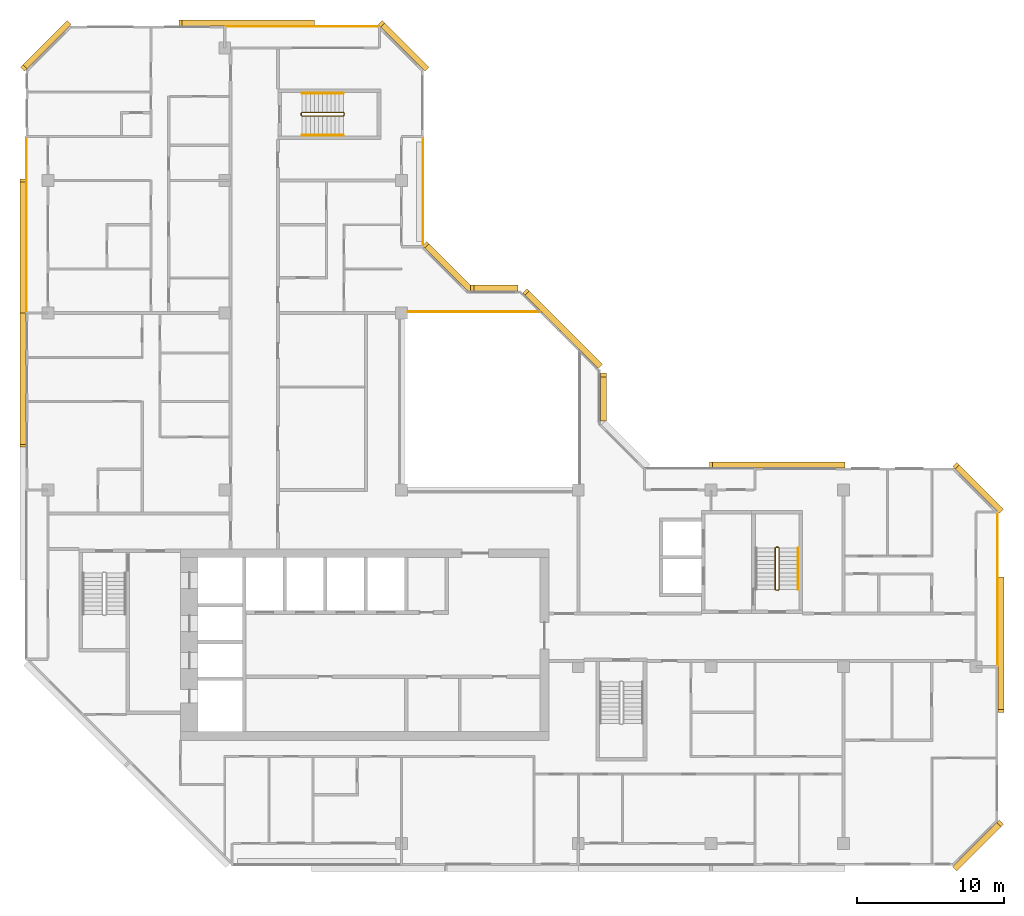
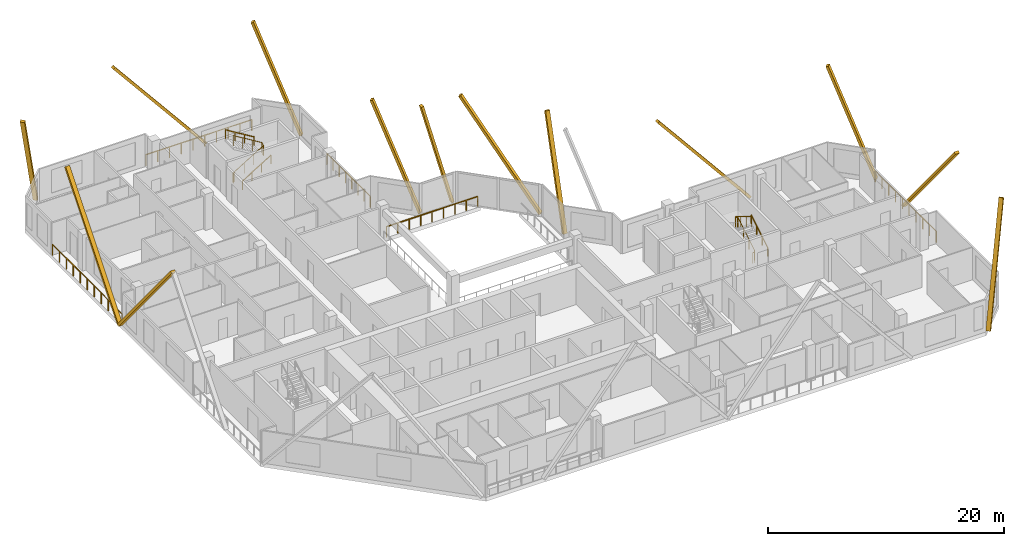
# One storey, part 13 of 13: 13 coverings, 10 railings.
"""IFC4 building model written with IfcOpenShell, lengths in metres."""

import ifcopenshell
import ifcopenshell.guid

model = None  # the IFC model being written
_history = None  # IfcOwnerHistory: only IFC2X3 demands one
_inside = {}  # id of a spatial element -> (the spatial element, [elements in it])
_under = {}  # id of a project, library or spatial element -> (it, [spatial elements below it])
_declared = {}  # id of a project -> (the project, [libraries it declares])
_typed = {}  # id of a type object -> (the type object, [elements of that type])
_made_of = {}  # id of a material, layer set ... -> (it, [elements and type objects made of it])


def new_model(schema):
    """Start an empty IFC model of exactly this schema.

    Asked for "IFC4X3", IfcOpenShell would pick the latest addendum, in which some entities
    have other attributes; the version numbers below select the first issue.
    IFC2X3 requires an IfcOwnerHistory on every rooted entity: one is made here for all.
    """
    global model, _history
    if schema == "IFC4X3":
        model = ifcopenshell.file(schema_version=(4, 3, 0, 0))
    else:
        model = ifcopenshell.file(schema=schema)
    _inside.clear()
    _under.clear()
    _declared.clear()
    _typed.clear()
    _made_of.clear()
    _history = None
    if model.schema == "IFC2X3":
        org = make("IfcOrganization", Name="unknown")
        user = make(
            "IfcPersonAndOrganization",
            ThePerson=make("IfcPerson", FamilyName="unknown"),
            TheOrganization=org,
        )
        app = make(
            "IfcApplication",
            ApplicationDeveloper=org,
            Version="unknown",
            ApplicationFullName="unknown",
            ApplicationIdentifier="unknown",
        )
        _history = make(
            "IfcOwnerHistory",
            OwningUser=user,
            OwningApplication=app,
            ChangeAction="ADDED",
            CreationDate=0,
        )
    return model


def make(cls, **values):
    """One entity of the class cls with the attributes given. An attribute that is None is left unset."""
    return model.create_entity(
        cls, **{name: value for name, value in values.items() if value is not None}
    )


def rooted(cls, **values):
    """An entity with a GlobalId (a new one), such as an element, a storey or a relation."""
    return make(cls, GlobalId=ifcopenshell.guid.new(), OwnerHistory=_history, **values)


def si_unit(unit_type, name, prefix=None):
    """IfcSIUnit, for example si_unit("LENGTHUNIT", "METRE", prefix="MILLI")."""
    return make("IfcSIUnit", UnitType=unit_type, Prefix=prefix, Name=name)


def assignment(units):
    """IfcUnitAssignment: the units of a project."""
    return None if units is None else make("IfcUnitAssignment", Units=units)


def point(xyz):
    """IfcCartesianPoint."""
    return None if xyz is None else make("IfcCartesianPoint", Coordinates=xyz)


def direction(xyz):
    """IfcDirection."""
    return None if xyz is None else make("IfcDirection", DirectionRatios=xyz)


def frame(location, z_axis=None, x_axis=None):
    """IfcAxis2Placement3D, a coordinate frame: its origin and axes. An axis left out is left unset."""
    return make(
        "IfcAxis2Placement3D",
        Location=point(location),
        Axis=direction(z_axis),
        RefDirection=direction(x_axis),
    )


def frame_2d(location, x_axis=None):
    """IfcAxis2Placement2D, a coordinate frame in the plane: its origin and x axis."""
    return make(
        "IfcAxis2Placement2D", Location=point(location), RefDirection=direction(x_axis)
    )


def origin():
    """The frame at (0, 0, 0) with its axes left unset."""
    return frame((0.0, 0.0, 0.0))


def origin_2d():
    """The frame at (0, 0) in the plane with its x axis left unset."""
    return frame_2d((0.0, 0.0))


def place(relative_to, where):
    """IfcLocalPlacement: puts the frame where relative to a parent placement (None: the world)."""
    return make(
        "IfcLocalPlacement", PlacementRelTo=relative_to, RelativePlacement=where
    )


def context(
    kind, dimensions, precision=None, world=None, true_north=None, identifier=None
):
    """IfcGeometricRepresentationContext, for example the 3D "Model" context."""
    return make(
        "IfcGeometricRepresentationContext",
        ContextIdentifier=identifier,
        ContextType=kind,
        CoordinateSpaceDimension=dimensions,
        Precision=precision,
        WorldCoordinateSystem=world,
        TrueNorth=true_north,
    )


def subcontext(parent, identifier, kind, view, scale=None):
    """IfcGeometricRepresentationSubContext, for example "Body" below "Model"."""
    return make(
        "IfcGeometricRepresentationSubContext",
        ContextIdentifier=identifier,
        ContextType=kind,
        ParentContext=parent,
        TargetScale=scale,
        TargetView=view,
    )


def project(units=None, contexts=None):
    """IfcProject with its units and contexts."""
    return rooted(
        "IfcProject",
        Name="project",
        RepresentationContexts=contexts,
        UnitsInContext=assignment(units),
    )


def spatial(cls, under=None, at=None, **own):
    """A site, building, storey or space (cls), placed at a placement, below another one or the project."""
    s = rooted(cls, ObjectPlacement=at, **own)
    if under is not None:
        _under.setdefault(under.id(), (under, []))[1].append(s)
    return s


def profile(cls, at=None, kind="AREA", **sizes):
    """A parametric profile (cls). Its sizes go by their IFC names, for example OverallWidth=200.0."""
    return make(cls, ProfileType=kind, Position=at, **sizes)


def rectangle(**sizes):
    """IfcRectangleProfileDef."""
    return profile("IfcRectangleProfileDef", **sizes)


def extrude(swept, where, along, depth):
    """IfcExtrudedAreaSolid: the profile swept, set in the frame where, extruded along a direction by depth."""
    return make(
        "IfcExtrudedAreaSolid",
        SweptArea=swept,
        Position=where,
        ExtrudedDirection=direction(along),
        Depth=depth,
    )


def shape(context_of_items, identifier, shape_type, items):
    """IfcShapeRepresentation: the items that make up one representation, for example the "Body"."""
    return make(
        "IfcShapeRepresentation",
        ContextOfItems=context_of_items,
        RepresentationIdentifier=identifier,
        RepresentationType=shape_type,
        Items=items,
    )


def material(Name=None, Category=None):
    """IfcMaterial."""
    return make("IfcMaterial", Name=Name, Category=Category)


def material_profile(
    of_material, cross_section, Name=None, Category=None, Priority=None
):
    """IfcMaterialProfile: a cross section and its material."""
    return make(
        "IfcMaterialProfile",
        Name=Name,
        Material=of_material,
        Profile=cross_section,
        Priority=Priority,
        Category=Category,
    )


def profile_set(profiles, Name=None, composite=None):
    """IfcMaterialProfileSet."""
    return make(
        "IfcMaterialProfileSet",
        Name=Name,
        MaterialProfiles=profiles,
        CompositeProfile=composite,
    )


def made_of(thing, what):
    """Note that an element or type object is made of a material, layer set ...; save() writes the relation."""
    if what is not None:
        _made_of.setdefault(what.id(), (what, []))[1].append(thing)
    return thing


def type_object(cls, material=None, **own):
    """A type object (cls), such as IfcWallType, which elements share."""
    return made_of(rooted(cls, **own), material)


def element(
    cls,
    number,
    at=None,
    inside=None,
    cuts=None,
    type_object=None,
    material=None,
    context=None,
    identifier="Body",
    shape_type=None,
    held_by="IfcProductDefinitionShape",
    body=None,
    shapes=None,
    **own,
):
    """One element of the class cls, such as IfcWall. Its Tag is "e" and its number.

    at: its placement. inside: the storey or other place that contains it. cuts: it is an
    opening in that element (IfcRelVoidsElement). A single representation is given by context,
    identifier, shape_type and body (its items); several are given by shapes. held_by: the class
    of the entity that holds the representations. save() writes the other relations.
    """
    e = rooted(cls, Tag="e%d" % number, ObjectPlacement=at, **own)
    if body is not None:
        shapes = [shape(context, identifier, shape_type, body)]
    if shapes is not None:
        e.Representation = make(held_by, Representations=shapes)
    if inside is not None:
        _inside.setdefault(inside.id(), (inside, []))[1].append(e)
    if cuts is not None:
        rooted(
            "IfcRelVoidsElement", RelatingBuildingElement=cuts, RelatedOpeningElement=e
        )
    if type_object is not None:
        _typed.setdefault(type_object.id(), (type_object, []))[1].append(e)
    return made_of(e, material)


def aggregate(whole, parts):
    """IfcRelAggregates: a whole, such as a stair, and the parts it consists of."""
    return rooted("IfcRelAggregates", RelatingObject=whole, RelatedObjects=parts)


def save(model, path):
    """Write the relations noted so far, then the file.

    IfcRelAggregates (storeys below a building ...), IfcRelContainedInSpatialStructure (elements
    in a storey), IfcRelDefinesByType, IfcRelAssociatesMaterial and IfcRelDeclares: one each for
    every whole, place, type object, material and project.
    """
    for whole, parts in _under.values():
        aggregate(whole, parts)
    for where, things in _inside.values():
        rooted(
            "IfcRelContainedInSpatialStructure",
            RelatedElements=things,
            RelatingStructure=where,
        )
    for kind, things in _typed.values():
        rooted("IfcRelDefinesByType", RelatedObjects=things, RelatingType=kind)
    for what, things in _made_of.values():
        rooted("IfcRelAssociatesMaterial", RelatedObjects=things, RelatingMaterial=what)
    for by, libraries in _declared.values():
        rooted("IfcRelDeclares", RelatingContext=by, RelatedDefinitions=libraries)
    model.write(path)


model = new_model("IFC4")

# Units and contexts
model_context = context("Model", 3, precision=1e-05, world=origin(), true_north=direction((0.0, 1.0)))
body_context = subcontext(model_context, "Body", "Model", "MODEL_VIEW")
ifc_project = project(units=[si_unit("LENGTHUNIT", "METRE"), si_unit("AREAUNIT", "SQUARE_METRE"), si_unit("VOLUMEUNIT", "CUBIC_METRE"), si_unit("PLANEANGLEUNIT", "RADIAN"), si_unit("MASSUNIT", "GRAM", prefix="KILO")], contexts=[model_context])

# Site, building, storey
site_placement = place(None, origin())
site = spatial("IfcSite", under=ifc_project, at=site_placement, CompositionType="ELEMENT")
building_placement = place(site_placement, origin())
building = spatial("IfcBuilding", under=site, at=building_placement, Name="Chenar Terraces", CompositionType="ELEMENT")
storey_placement = place(building_placement, frame((0.0, 0.0, 310.89990234375)))
storey = spatial("IfcBuildingStorey", under=building, at=storey_placement, Name="L73", CompositionType="ELEMENT", Elevation=310.89990234375)

# Railings
ifc_material_1 = material(Name="Powder-coated steel", Category="steel")
railing_type_1 = type_object("IfcRailingType", Name="Guard 1100 steel rail with glass infill", PredefinedType="GUARDRAIL", material=ifc_material_1)
railing_1_placement = place(storey_placement, frame((24.449951171875, 36.10009765625, 0.0)))
element("IfcRailing", 1, at=railing_1_placement, inside=storey, type_object=railing_type_1, Name="Guard L73-2", PredefinedType="GUARDRAIL", context=body_context, shape_type="SweptSolid", body=[
    extrude(rectangle(XDim=0.06005859375, YDim=0.06005859375, at=origin_2d()), frame((0.0, 0.0, 1.070068359375), z_axis=(1.0, 0.0, 0.0), x_axis=(0.0, 1.0, 0.0)), (0.0, 0.0, 1.0), 8.949951171875),
    extrude(rectangle(XDim=0.050048828125, YDim=0.050048828125, at=origin_2d()), origin(), (0.0, 0.0, 1.0), 1.0400390625),
    extrude(rectangle(XDim=0.050048828125, YDim=0.050048828125, at=origin_2d()), frame((1.11865234375, 0.0, 0.0)), (0.0, 0.0, 1.0), 1.0400390625),
    extrude(rectangle(XDim=0.050048828125, YDim=0.050048828125, at=origin_2d()), frame((2.237548828125, 0.0, 0.0)), (0.0, 0.0, 1.0), 1.0400390625),
    extrude(rectangle(XDim=0.050048828125, YDim=0.050048828125, at=origin_2d()), frame((3.356201171875, 0.0, 0.0)), (0.0, 0.0, 1.0), 1.0400390625),
    extrude(rectangle(XDim=0.050048828125, YDim=0.050048828125, at=origin_2d()), frame((4.47509765625, 0.0, 0.0)), (0.0, 0.0, 1.0), 1.0400390625),
    extrude(rectangle(XDim=0.050048828125, YDim=0.050048828125, at=origin_2d()), frame((5.59375, 0.0, 0.0)), (0.0, 0.0, 1.0), 1.0400390625),
    extrude(rectangle(XDim=0.050048828125, YDim=0.050048828125, at=origin_2d()), frame((6.71240234375, 0.0, 0.0)), (0.0, 0.0, 1.0), 1.0400390625),
    extrude(rectangle(XDim=0.050048828125, YDim=0.050048828125, at=origin_2d()), frame((7.831298828125, 0.0, 0.0)), (0.0, 0.0, 1.0), 1.0400390625),
    extrude(rectangle(XDim=0.050048828125, YDim=0.050048828125, at=origin_2d()), frame((8.949951171875, 0.0, 0.0)), (0.0, 0.0, 1.0), 1.0400390625),
])
ifc_material_2 = material(Name="Stainless steel and glass", Category="steel")
railing_type_2 = type_object("IfcRailingType", Name="Loggia guard 1150", PredefinedType="GUARDRAIL", material=ifc_material_2)
railing_2_placement = place(storey_placement, frame((25.449951171875, 40.574951171875, 0.0)))
element("IfcRailing", 2, at=railing_2_placement, inside=storey, type_object=railing_type_2, Name="Loggia guard", PredefinedType="GUARDRAIL", context=body_context, shape_type="SweptSolid", body=[
    extrude(rectangle(XDim=0.048095703125, YDim=0.048095703125, at=origin_2d()), frame((0.0, 0.0, 1.1259765625), z_axis=(0.0, 1.0, 0.0), x_axis=(-1.0, 0.0, 0.0)), (0.0, 0.0, 1.0), 7.35009765625),
    extrude(rectangle(XDim=0.0419921875, YDim=0.0419921875, at=origin_2d()), origin(), (0.0, 0.0, 1.0), 1.101806640625),
    extrude(rectangle(XDim=0.0419921875, YDim=0.0419921875, at=origin_2d()), frame((0.0, 1.050048828125, 0.0)), (0.0, 0.0, 1.0), 1.101806640625),
    extrude(rectangle(XDim=0.0419921875, YDim=0.0419921875, at=origin_2d()), frame((0.0, 2.10009765625, 0.0)), (0.0, 0.0, 1.0), 1.101806640625),
    extrude(rectangle(XDim=0.0419921875, YDim=0.0419921875, at=origin_2d()), frame((0.0, 3.150146484375, 0.0)), (0.0, 0.0, 1.0), 1.101806640625),
    extrude(rectangle(XDim=0.0419921875, YDim=0.0419921875, at=origin_2d()), frame((0.0, 4.199951171875, 0.0)), (0.0, 0.0, 1.0), 1.101806640625),
    extrude(rectangle(XDim=0.0419921875, YDim=0.0419921875, at=origin_2d()), frame((0.0, 5.25, 0.0)), (0.0, 0.0, 1.0), 1.101806640625),
    extrude(rectangle(XDim=0.0419921875, YDim=0.0419921875, at=origin_2d()), frame((0.0, 6.300048828125, 0.0)), (0.0, 0.0, 1.0), 1.101806640625),
    extrude(rectangle(XDim=0.0419921875, YDim=0.0419921875, at=origin_2d()), frame((0.0, 7.35009765625, 0.0)), (0.0, 0.0, 1.0), 1.101806640625),
])
railing_3_placement = place(storey_placement, frame((64.449951171875, 12.074951171875, 0.0)))
element("IfcRailing", 3, at=railing_3_placement, inside=storey, type_object=railing_type_2, Name="Loggia guard", PredefinedType="GUARDRAIL", context=body_context, shape_type="SweptSolid", body=[
    extrude(rectangle(XDim=0.048095703125, YDim=0.048095703125, at=origin_2d()), frame((0.0, 0.0, 1.1259765625), z_axis=(0.0, 1.0, 0.0), x_axis=(-1.0, 0.0, 0.0)), (0.0, 0.0, 1.0), 10.35009765625),
    extrude(rectangle(XDim=0.0419921875, YDim=0.0419921875, at=origin_2d()), origin(), (0.0, 0.0, 1.0), 1.101806640625),
    extrude(rectangle(XDim=0.0419921875, YDim=0.0419921875, at=origin_2d()), frame((0.0, 1.14990234375, 0.0)), (0.0, 0.0, 1.0), 1.101806640625),
    extrude(rectangle(XDim=0.0419921875, YDim=0.0419921875, at=origin_2d()), frame((0.0, 2.300048828125, 0.0)), (0.0, 0.0, 1.0), 1.101806640625),
    extrude(rectangle(XDim=0.0419921875, YDim=0.0419921875, at=origin_2d()), frame((0.0, 3.449951171875, 0.0)), (0.0, 0.0, 1.0), 1.101806640625),
    extrude(rectangle(XDim=0.0419921875, YDim=0.0419921875, at=origin_2d()), frame((0.0, 4.60009765625, 0.0)), (0.0, 0.0, 1.0), 1.101806640625),
    extrude(rectangle(XDim=0.0419921875, YDim=0.0419921875, at=origin_2d()), frame((0.0, 5.75, 0.0)), (0.0, 0.0, 1.0), 1.101806640625),
    extrude(rectangle(XDim=0.0419921875, YDim=0.0419921875, at=origin_2d()), frame((0.0, 6.900146484375, 0.0)), (0.0, 0.0, 1.0), 1.101806640625),
    extrude(rectangle(XDim=0.0419921875, YDim=0.0419921875, at=origin_2d()), frame((0.0, 8.050048828125, 0.0)), (0.0, 0.0, 1.0), 1.101806640625),
    extrude(rectangle(XDim=0.0419921875, YDim=0.0419921875, at=origin_2d()), frame((0.0, 9.2001953125, 0.0)), (0.0, 0.0, 1.0), 1.101806640625),
    extrude(rectangle(XDim=0.0419921875, YDim=0.0419921875, at=origin_2d()), frame((0.0, 10.35009765625, 0.0)), (0.0, 0.0, 1.0), 1.101806640625),
])
railing_4_placement = place(storey_placement, frame((22.425048828125, 55.449951171875, 0.0)))
element("IfcRailing", 4, at=railing_4_placement, inside=storey, type_object=railing_type_2, Name="Loggia guard", PredefinedType="GUARDRAIL", context=body_context, shape_type="SweptSolid", body=[
    extrude(rectangle(XDim=0.048095703125, YDim=0.048095703125, at=origin_2d()), frame((0.0, 0.0, 1.1259765625), z_axis=(-1.0, 0.0, 0.0), x_axis=(0.0, -1.0, 0.0)), (0.0, 0.0, 1.0), 10.35009765625),
    extrude(rectangle(XDim=0.0419921875, YDim=0.0419921875, at=origin_2d()), origin(), (0.0, 0.0, 1.0), 1.101806640625),
    extrude(rectangle(XDim=0.0419921875, YDim=0.0419921875, at=origin_2d()), frame((-1.14990234375, 0.0, 0.0)), (0.0, 0.0, 1.0), 1.101806640625),
    extrude(rectangle(XDim=0.0419921875, YDim=0.0419921875, at=origin_2d()), frame((-2.300048828125, 0.0, 0.0)), (0.0, 0.0, 1.0), 1.101806640625),
    extrude(rectangle(XDim=0.0419921875, YDim=0.0419921875, at=origin_2d()), frame((-3.449951171875, 0.0, 0.0)), (0.0, 0.0, 1.0), 1.101806640625),
    extrude(rectangle(XDim=0.0419921875, YDim=0.0419921875, at=origin_2d()), frame((-4.60009765625, 0.0, 0.0)), (0.0, 0.0, 1.0), 1.101806640625),
    extrude(rectangle(XDim=0.0419921875, YDim=0.0419921875, at=origin_2d()), frame((-5.75, 0.0, 0.0)), (0.0, 0.0, 1.0), 1.101806640625),
    extrude(rectangle(XDim=0.0419921875, YDim=0.0419921875, at=origin_2d()), frame((-6.900146484375, 0.0, 0.0)), (0.0, 0.0, 1.0), 1.101806640625),
    extrude(rectangle(XDim=0.0419921875, YDim=0.0419921875, at=origin_2d()), frame((-8.050048828125, 0.0, 0.0)), (0.0, 0.0, 1.0), 1.101806640625),
    extrude(rectangle(XDim=0.0419921875, YDim=0.0419921875, at=origin_2d()), frame((-9.2001953125, 0.0, 0.0)), (0.0, 0.0, 1.0), 1.101806640625),
    extrude(rectangle(XDim=0.0419921875, YDim=0.0419921875, at=origin_2d()), frame((-10.35009765625, 0.0, 0.0)), (0.0, 0.0, 1.0), 1.101806640625),
])
railing_5_placement = place(storey_placement, frame((-1.449951171875, 47.925048828125, 0.0)))
element("IfcRailing", 5, at=railing_5_placement, inside=storey, type_object=railing_type_2, Name="Loggia guard", PredefinedType="GUARDRAIL", context=body_context, shape_type="SweptSolid", body=[
    extrude(rectangle(XDim=0.048095703125, YDim=0.048095703125, at=origin_2d()), frame((0.0, 0.0, 1.1259765625), z_axis=(0.0, -1.0, 0.0), x_axis=(1.0, 0.0, 0.0)), (0.0, 0.0, 1.0), 11.85009765625),
    extrude(rectangle(XDim=0.0419921875, YDim=0.0419921875, at=origin_2d()), origin(), (0.0, 0.0, 1.0), 1.101806640625),
    extrude(rectangle(XDim=0.0419921875, YDim=0.0419921875, at=origin_2d()), frame((0.0, -1.18505859375, 0.0)), (0.0, 0.0, 1.0), 1.101806640625),
    extrude(rectangle(XDim=0.0419921875, YDim=0.0419921875, at=origin_2d()), frame((0.0, -2.3701171875, 0.0)), (0.0, 0.0, 1.0), 1.101806640625),
    extrude(rectangle(XDim=0.0419921875, YDim=0.0419921875, at=origin_2d()), frame((0.0, -3.554931640625, 0.0)), (0.0, 0.0, 1.0), 1.101806640625),
    extrude(rectangle(XDim=0.0419921875, YDim=0.0419921875, at=origin_2d()), frame((0.0, -4.739990234375, 0.0)), (0.0, 0.0, 1.0), 1.101806640625),
    extrude(rectangle(XDim=0.0419921875, YDim=0.0419921875, at=origin_2d()), frame((0.0, -5.925048828125, 0.0)), (0.0, 0.0, 1.0), 1.101806640625),
    extrude(rectangle(XDim=0.0419921875, YDim=0.0419921875, at=origin_2d()), frame((0.0, -7.110107421875, 0.0)), (0.0, 0.0, 1.0), 1.101806640625),
    extrude(rectangle(XDim=0.0419921875, YDim=0.0419921875, at=origin_2d()), frame((0.0, -8.295166015625, 0.0)), (0.0, 0.0, 1.0), 1.101806640625),
    extrude(rectangle(XDim=0.0419921875, YDim=0.0419921875, at=origin_2d()), frame((0.0, -9.47998046875, 0.0)), (0.0, 0.0, 1.0), 1.101806640625),
    extrude(rectangle(XDim=0.0419921875, YDim=0.0419921875, at=origin_2d()), frame((0.0, -10.6650390625, 0.0)), (0.0, 0.0, 1.0), 1.101806640625),
    extrude(rectangle(XDim=0.0419921875, YDim=0.0419921875, at=origin_2d()), frame((0.0, -11.85009765625, 0.0)), (0.0, 0.0, 1.0), 1.101806640625),
])
ifc_material_3 = material(Name="Powder-coated steel", Category="steel")
railing_type_3 = type_object("IfcRailingType", Name="Stair guard 1100", PredefinedType="GUARDRAIL", material=ifc_material_3)
railing_6_placement = place(storey_placement, frame((49.375, 17.25, 3.75)))
element("IfcRailing", 6, at=railing_6_placement, inside=storey, type_object=railing_type_3, Name="L73 ST3 stair guard 1", PredefinedType="GUARDRAIL", context=body_context, shape_type="SweptSolid", body=[
    extrude(rectangle(XDim=0.048095703125, YDim=0.048095703125, at=origin_2d()), frame((0.0, 0.0, 1.076171875), z_axis=(0.0, 0.854202870247, -0.519939858505), x_axis=(-1.0, 0.0, 0.0)), (0.0, 0.0, 1.0), 3.278076171875),
    extrude(rectangle(XDim=0.048095703125, YDim=0.048095703125, at=origin_2d()), frame((0.0, 2.800048828125, -0.62841796875), z_axis=(0.270899902878, 0.270899902878, -0.923702595667), x_axis=(-0.707106781187, 0.707106781187, 0.0)), (0.0, 0.0, 1.0), 0.184814453125),
    extrude(rectangle(XDim=0.048095703125, YDim=0.048095703125, at=origin_2d()), frame((0.050048828125, 2.85009765625, -0.798828125), z_axis=(1.0, 0.0, 0.0), x_axis=(0.0, 1.0, 0.0)), (0.0, 0.0, 1.0), 0.14990234375),
    extrude(rectangle(XDim=0.048095703125, YDim=0.048095703125, at=origin_2d()), frame((0.199951171875, 2.85009765625, -0.798828125), z_axis=(0.707106781187, -0.707106781187, 0.0), x_axis=(0.707106781187, 0.707106781187, 0.0)), (0.0, 0.0, 1.0), 0.07080078125),
    extrude(rectangle(XDim=0.048095703125, YDim=0.048095703125, at=origin_2d()), frame((0.25, 2.800048828125, -0.798828125), z_axis=(0.0, -0.854202870247, -0.519939858505), x_axis=(1.0, 0.0, 0.0)), (0.0, 0.0, 1.0), 3.278076171875),
    extrude(rectangle(XDim=0.048095703125, YDim=0.048095703125, at=origin_2d()), frame((0.25, 0.0, -2.50341796875), z_axis=(-0.270899902878, -0.270899902878, -0.923702595667), x_axis=(0.707106781187, -0.707106781187, 0.0)), (0.0, 0.0, 1.0), 0.184814453125),
    extrude(rectangle(XDim=0.048095703125, YDim=0.048095703125, at=origin_2d()), frame((0.199951171875, -0.050048828125, -2.673828125), z_axis=(-1.0, 0.0, 0.0), x_axis=(0.0, -1.0, 0.0)), (0.0, 0.0, 1.0), 0.14990234375),
    extrude(rectangle(XDim=0.0419921875, YDim=0.0419921875, at=origin_2d()), origin(), (0.0, 0.0, 1.0), 1.052001953125),
    extrude(rectangle(XDim=0.0419921875, YDim=0.0419921875, at=origin_2d()), frame((0.0, 0.933349609375, -0.568115234375)), (0.0, 0.0, 1.0), 1.052001953125),
    extrude(rectangle(XDim=0.0419921875, YDim=0.0419921875, at=origin_2d()), frame((0.0, 1.86669921875, -1.13623046875)), (0.0, 0.0, 1.0), 1.052001953125),
    extrude(rectangle(XDim=0.0419921875, YDim=0.0419921875, at=origin_2d()), frame((0.0, 2.800048828125, -1.704345703125)), (0.0, 0.0, 1.0), 1.052001953125),
    extrude(rectangle(XDim=0.0419921875, YDim=0.0419921875, at=origin_2d()), frame((0.050048828125, 2.85009765625, -1.875)), (0.0, 0.0, 1.0), 1.052001953125),
    extrude(rectangle(XDim=0.0419921875, YDim=0.0419921875, at=origin_2d()), frame((0.199951171875, 2.85009765625, -1.875)), (0.0, 0.0, 1.0), 1.052001953125),
    extrude(rectangle(XDim=0.0419921875, YDim=0.0419921875, at=origin_2d()), frame((0.25, 2.800048828125, -1.875)), (0.0, 0.0, 1.0), 1.052001953125),
    extrude(rectangle(XDim=0.0419921875, YDim=0.0419921875, at=origin_2d()), frame((0.25, 1.86669921875, -2.443115234375)), (0.0, 0.0, 1.0), 1.052001953125),
    extrude(rectangle(XDim=0.0419921875, YDim=0.0419921875, at=origin_2d()), frame((0.25, 0.933349609375, -3.01123046875)), (0.0, 0.0, 1.0), 1.052001953125),
    extrude(rectangle(XDim=0.0419921875, YDim=0.0419921875, at=origin_2d()), frame((0.25, 0.0, -3.579345703125)), (0.0, 0.0, 1.0), 1.052001953125),
    extrude(rectangle(XDim=0.0419921875, YDim=0.0419921875, at=origin_2d()), frame((0.199951171875, -0.050048828125, -3.75)), (0.0, 0.0, 1.0), 1.052001953125),
    extrude(rectangle(XDim=0.0419921875, YDim=0.0419921875, at=origin_2d()), frame((0.050048828125, -0.050048828125, -3.75)), (0.0, 0.0, 1.0), 1.052001953125),
])
railing_7_placement = place(storey_placement, frame((17.25, 49.625, 3.75)))
element("IfcRailing", 7, at=railing_7_placement, inside=storey, type_object=railing_type_3, Name="L73 ST4 stair guard 1", PredefinedType="GUARDRAIL", context=body_context, shape_type="SweptSolid", body=[
    extrude(rectangle(XDim=0.048095703125, YDim=0.048095703125, at=origin_2d()), frame((0.0, 0.0, 1.076171875), z_axis=(0.854202870247, 0.0, -0.519939858505), x_axis=(0.0, 1.0, 0.0)), (0.0, 0.0, 1.0), 3.278076171875),
    extrude(rectangle(XDim=0.048095703125, YDim=0.048095703125, at=origin_2d()), frame((2.800048828125, 0.0, -0.62841796875), z_axis=(0.270899902878, -0.270899902878, -0.923702595667), x_axis=(0.707106781187, 0.707106781187, 0.0)), (0.0, 0.0, 1.0), 0.184814453125),
    extrude(rectangle(XDim=0.048095703125, YDim=0.048095703125, at=origin_2d()), frame((2.85009765625, -0.050048828125, -0.798828125), z_axis=(0.0, -1.0, 0.0), x_axis=(1.0, 0.0, 0.0)), (0.0, 0.0, 1.0), 0.14990234375),
    extrude(rectangle(XDim=0.048095703125, YDim=0.048095703125, at=origin_2d()), frame((2.85009765625, -0.199951171875, -0.798828125), z_axis=(-0.707106781187, -0.707106781187, 0.0), x_axis=(0.707106781187, -0.707106781187, 0.0)), (0.0, 0.0, 1.0), 0.07080078125),
    extrude(rectangle(XDim=0.048095703125, YDim=0.048095703125, at=origin_2d()), frame((2.800048828125, -0.25, -0.798828125), z_axis=(-0.854202870247, 0.0, -0.519939858505), x_axis=(0.0, -1.0, 0.0)), (0.0, 0.0, 1.0), 3.278076171875),
    extrude(rectangle(XDim=0.048095703125, YDim=0.048095703125, at=origin_2d()), frame((0.0, -0.25, -2.50341796875), z_axis=(-0.270899902878, 0.270899902878, -0.923702595667), x_axis=(-0.707106781187, -0.707106781187, 0.0)), (0.0, 0.0, 1.0), 0.184814453125),
    extrude(rectangle(XDim=0.048095703125, YDim=0.048095703125, at=origin_2d()), frame((-0.050048828125, -0.199951171875, -2.673828125), z_axis=(0.0, 1.0, 0.0), x_axis=(-1.0, 0.0, 0.0)), (0.0, 0.0, 1.0), 0.14990234375),
    extrude(rectangle(XDim=0.0419921875, YDim=0.0419921875, at=origin_2d()), origin(), (0.0, 0.0, 1.0), 1.052001953125),
    extrude(rectangle(XDim=0.0419921875, YDim=0.0419921875, at=origin_2d()), frame((0.933349609375, 0.0, -0.568115234375)), (0.0, 0.0, 1.0), 1.052001953125),
    extrude(rectangle(XDim=0.0419921875, YDim=0.0419921875, at=origin_2d()), frame((1.86669921875, 0.0, -1.13623046875)), (0.0, 0.0, 1.0), 1.052001953125),
    extrude(rectangle(XDim=0.0419921875, YDim=0.0419921875, at=origin_2d()), frame((2.800048828125, 0.0, -1.704345703125)), (0.0, 0.0, 1.0), 1.052001953125),
    extrude(rectangle(XDim=0.0419921875, YDim=0.0419921875, at=origin_2d()), frame((2.85009765625, -0.050048828125, -1.875)), (0.0, 0.0, 1.0), 1.052001953125),
    extrude(rectangle(XDim=0.0419921875, YDim=0.0419921875, at=origin_2d()), frame((2.85009765625, -0.199951171875, -1.875)), (0.0, 0.0, 1.0), 1.052001953125),
    extrude(rectangle(XDim=0.0419921875, YDim=0.0419921875, at=origin_2d()), frame((2.800048828125, -0.25, -1.875)), (0.0, 0.0, 1.0), 1.052001953125),
    extrude(rectangle(XDim=0.0419921875, YDim=0.0419921875, at=origin_2d()), frame((1.86669921875, -0.25, -2.443115234375)), (0.0, 0.0, 1.0), 1.052001953125),
    extrude(rectangle(XDim=0.0419921875, YDim=0.0419921875, at=origin_2d()), frame((0.933349609375, -0.25, -3.01123046875)), (0.0, 0.0, 1.0), 1.052001953125),
    extrude(rectangle(XDim=0.0419921875, YDim=0.0419921875, at=origin_2d()), frame((0.0, -0.25, -3.579345703125)), (0.0, 0.0, 1.0), 1.052001953125),
    extrude(rectangle(XDim=0.0419921875, YDim=0.0419921875, at=origin_2d()), frame((-0.050048828125, -0.199951171875, -3.75)), (0.0, 0.0, 1.0), 1.052001953125),
    extrude(rectangle(XDim=0.0419921875, YDim=0.0419921875, at=origin_2d()), frame((-0.050048828125, -0.050048828125, -3.75)), (0.0, 0.0, 1.0), 1.052001953125),
])
ifc_material_4 = material(Name="Powder-coated steel", Category="steel")
railing_type_4 = type_object("IfcRailingType", Name="Stair handrail 900", PredefinedType="HANDRAIL", material=ifc_material_4)
railing_8_placement = place(storey_placement, frame((50.925048828125, 17.25, 0.170654296875)))
element("IfcRailing", 8, at=railing_8_placement, inside=storey, type_object=railing_type_4, Name="L73 ST3 stair handrail 1", PredefinedType="HANDRAIL", context=body_context, shape_type="SweptSolid", body=[
    extrude(rectangle(XDim=0.048095703125, YDim=0.048095703125, at=origin_2d()), frame((0.0, 0.0, 0.8759765625), z_axis=(0.0, 0.854202870247, 0.519939858505), x_axis=(-1.0, 0.0, 0.0)), (0.0, 0.0, 1.0), 3.278076171875),
    extrude(rectangle(XDim=0.0419921875, YDim=0.0419921875, at=origin_2d()), origin(), (0.0, 0.0, 1.0), 0.851806640625),
    extrude(rectangle(XDim=0.0419921875, YDim=0.0419921875, at=origin_2d()), frame((0.0, 0.933349609375, 0.568115234375)), (0.0, 0.0, 1.0), 0.851806640625),
    extrude(rectangle(XDim=0.0419921875, YDim=0.0419921875, at=origin_2d()), frame((0.0, 1.86669921875, 1.13623046875)), (0.0, 0.0, 1.0), 0.851806640625),
    extrude(rectangle(XDim=0.0419921875, YDim=0.0419921875, at=origin_2d()), frame((0.0, 2.800048828125, 1.704345703125)), (0.0, 0.0, 1.0), 0.851806640625),
])
railing_9_placement = place(storey_placement, frame((17.25, 48.074951171875, 0.170654296875)))
element("IfcRailing", 9, at=railing_9_placement, inside=storey, type_object=railing_type_4, Name="L73 ST4 stair handrail 1", PredefinedType="HANDRAIL", context=body_context, shape_type="SweptSolid", body=[
    extrude(rectangle(XDim=0.048095703125, YDim=0.048095703125, at=origin_2d()), frame((0.0, 0.0, 0.8759765625), z_axis=(0.854202870247, 0.0, 0.519939858505), x_axis=(0.0, 1.0, 0.0)), (0.0, 0.0, 1.0), 3.278076171875),
    extrude(rectangle(XDim=0.0419921875, YDim=0.0419921875, at=origin_2d()), origin(), (0.0, 0.0, 1.0), 0.851806640625),
    extrude(rectangle(XDim=0.0419921875, YDim=0.0419921875, at=origin_2d()), frame((0.933349609375, 0.0, 0.568115234375)), (0.0, 0.0, 1.0), 0.851806640625),
    extrude(rectangle(XDim=0.0419921875, YDim=0.0419921875, at=origin_2d()), frame((1.86669921875, 0.0, 1.13623046875)), (0.0, 0.0, 1.0), 0.851806640625),
    extrude(rectangle(XDim=0.0419921875, YDim=0.0419921875, at=origin_2d()), frame((2.800048828125, 0.0, 1.704345703125)), (0.0, 0.0, 1.0), 0.851806640625),
])
railing_10_placement = place(storey_placement, frame((20.050048828125, 50.925048828125, 2.045654296875)))
element("IfcRailing", 10, at=railing_10_placement, inside=storey, type_object=railing_type_4, Name="L73 ST4 stair handrail 2", PredefinedType="HANDRAIL", context=body_context, shape_type="SweptSolid", body=[
    extrude(rectangle(XDim=0.048095703125, YDim=0.048095703125, at=origin_2d()), frame((0.0, 0.0, 0.8759765625), z_axis=(-0.854202870247, 0.0, 0.519939858505), x_axis=(0.0, -1.0, 0.0)), (0.0, 0.0, 1.0), 3.278076171875),
    extrude(rectangle(XDim=0.0419921875, YDim=0.0419921875, at=origin_2d()), origin(), (0.0, 0.0, 1.0), 0.851806640625),
    extrude(rectangle(XDim=0.0419921875, YDim=0.0419921875, at=origin_2d()), frame((-0.933349609375, 0.0, 0.568115234375)), (0.0, 0.0, 1.0), 0.851806640625),
    extrude(rectangle(XDim=0.0419921875, YDim=0.0419921875, at=origin_2d()), frame((-1.86669921875, 0.0, 1.13623046875)), (0.0, 0.0, 1.0), 0.851806640625),
    extrude(rectangle(XDim=0.0419921875, YDim=0.0419921875, at=origin_2d()), frame((-2.800048828125, 0.0, 1.704345703125)), (0.0, 0.0, 1.0), 0.851806640625),
])

# Coverings
ifc_material_5 = material(Name="Terracotta", Category="masonry")
ifc_material_profile = material_profile(ifc_material_5, rectangle(XDim=0.39990234375, YDim=0.25, at=origin_2d()), Name="Terracotta baguette 400 x 250")
ifc_profile_set = profile_set([ifc_material_profile], Name="Terracotta")
covering_type = type_object("IfcCoveringType", Name="Terracotta baguette 400 x 250", PredefinedType="CLADDING", material=ifc_profile_set)
covering_1_placement = place(storey_placement, frame((54.0, 25.699951171875, 0.150146484375), z_axis=(-0.634966765532, 0.0, 0.772539453148), x_axis=(0.0, -1.0, 0.0)))
element("IfcCovering", 11, at=covering_1_placement, inside=storey, type_object=covering_type, Name="Terracotta baguette", PredefinedType="CLADDING", context=body_context, shape_type="SweptSolid", body=[
    extrude(rectangle(XDim=0.39990234375, YDim=0.25, at=origin_2d()), origin(), (0.0, 0.0, 1.0), 14.174072265625),
])
covering_2_placement = place(storey_placement, frame((37.699951171875, 28.800048828125, 0.150146484375), z_axis=(0.0, 0.26423624309, 0.964457986559), x_axis=(-1.0, 0.0, 0.0)))
element("IfcCovering", 12, at=covering_2_placement, inside=storey, type_object=covering_type, Name="Terracotta baguette", PredefinedType="CLADDING", context=body_context, shape_type="SweptSolid", body=[
    extrude(rectangle(XDim=0.39990234375, YDim=0.25, at=origin_2d()), origin(), (0.0, 0.0, 1.0), 11.353515625),
])
covering_3_placement = place(storey_placement, frame((37.42919921875, 32.45361328125, 0.150146484375), z_axis=(-0.382266316395, 0.38228507333, 0.841267250081), x_axis=(-0.707124128605, -0.707089433343, 0.0)))
element("IfcCovering", 13, at=covering_3_placement, inside=storey, type_object=covering_type, Name="Terracotta baguette", PredefinedType="CLADDING", context=body_context, shape_type="SweptSolid", body=[
    extrude(rectangle(XDim=0.39990234375, YDim=0.25, at=origin_2d()), origin(), (0.0, 0.0, 1.0), 13.01611328125),
])
covering_4_placement = place(storey_placement, frame((31.800048828125, 37.699951171875, 0.150146484375), z_axis=(-0.26423624309, 0.0, 0.964457986559), x_axis=(0.0, -1.0, 0.0)))
element("IfcCovering", 14, at=covering_4_placement, inside=storey, type_object=covering_type, Name="Terracotta baguette", PredefinedType="CLADDING", context=body_context, shape_type="SweptSolid", body=[
    extrude(rectangle(XDim=0.39990234375, YDim=0.25, at=origin_2d()), origin(), (0.0, 0.0, 1.0), 11.353515625),
])
for number, where, z_axis, x_axis, name in (
    (15, (28.641357421875, 37.641357421875, 0.150146484375), (-0.255468212233, 0.255468212233, 0.932454816641), (-0.707106781187, -0.707106781187, 0.0), "Terracotta baguette"),
    (16, (25.641357421875, 52.641357421875, 0.150146484375), (-0.255468212233, 0.255468212233, 0.932454816641), (-0.707106781187, -0.707106781187, 0.0), "Terracotta baguette"),
):
    element("IfcCovering", number, at=place(storey_placement, frame(where, z_axis=z_axis, x_axis=x_axis)), inside=storey, type_object=covering_type, Name=name, PredefinedType="CLADDING", context=body_context, shape_type="SweptSolid", body=[
        extrude(rectangle(XDim=0.39990234375, YDim=0.25, at=origin_2d()), origin(), (0.0, 0.0, 1.0), 11.7431640625),
    ])
covering_5_placement = place(storey_placement, frame((18.0, 55.699951171875, 0.150146484375), z_axis=(-0.634966765532, 0.0, 0.772539453148), x_axis=(0.0, -1.0, 0.0)))
element("IfcCovering", 17, at=covering_5_placement, inside=storey, type_object=covering_type, Name="Terracotta baguette", PredefinedType="CLADDING", context=body_context, shape_type="SweptSolid", body=[
    extrude(rectangle(XDim=0.39990234375, YDim=0.25, at=origin_2d()), origin(), (0.0, 0.0, 1.0), 14.174072265625),
])
covering_6_placement = place(storey_placement, frame((1.358642578125, 55.641357421875, 0.150146484375), z_axis=(-0.255468212233, -0.255468212233, 0.932454816641), x_axis=(0.707106781187, -0.707106781187, 0.0)))
element("IfcCovering", 18, at=covering_6_placement, inside=storey, type_object=covering_type, Name="Terracotta baguette", PredefinedType="CLADDING", context=body_context, shape_type="SweptSolid", body=[
    extrude(rectangle(XDim=0.39990234375, YDim=0.25, at=origin_2d()), origin(), (0.0, 0.0, 1.0), 11.7431640625),
])
for number, where, z_axis, x_axis, name in (
    (19, (-1.699951171875, 45.0, 11.10009765625), (0.0, -0.634966765532, -0.772539453148), (1.0, 0.0, 0.0), "Terracotta baguette"),
    (20, (-1.699951171875, 36.0, 0.150146484375), (0.0, -0.634966765532, 0.772539453148), (1.0, 0.0, 0.0), "Terracotta baguette"),
):
    element("IfcCovering", number, at=place(storey_placement, frame(where, z_axis=z_axis, x_axis=x_axis)), inside=storey, type_object=covering_type, Name=name, PredefinedType="CLADDING", context=body_context, shape_type="SweptSolid", body=[
        extrude(rectangle(XDim=0.39990234375, YDim=0.25, at=origin_2d()), origin(), (0.0, 0.0, 1.0), 14.174072265625),
    ])
covering_7_placement = place(storey_placement, frame((61.641357421875, -1.641357421875, 0.150146484375), z_axis=(0.255468212233, 0.255468212233, 0.932454816641), x_axis=(-0.707106781187, 0.707106781187, 0.0)))
element("IfcCovering", 21, at=covering_7_placement, inside=storey, type_object=covering_type, Name="Terracotta baguette", PredefinedType="CLADDING", context=body_context, shape_type="SweptSolid", body=[
    extrude(rectangle(XDim=0.39990234375, YDim=0.25, at=origin_2d()), origin(), (0.0, 0.0, 1.0), 11.7431640625),
])
covering_8_placement = place(storey_placement, frame((64.699951171875, 9.0, 11.10009765625), z_axis=(0.0, 0.634966765532, -0.772539453148), x_axis=(-1.0, 0.0, 0.0)))
element("IfcCovering", 22, at=covering_8_placement, inside=storey, type_object=covering_type, Name="Terracotta baguette", PredefinedType="CLADDING", context=body_context, shape_type="SweptSolid", body=[
    extrude(rectangle(XDim=0.39990234375, YDim=0.25, at=origin_2d()), origin(), (0.0, 0.0, 1.0), 14.174072265625),
])
covering_9_placement = place(storey_placement, frame((64.641357421875, 22.641357421875, 0.150146484375), z_axis=(-0.255468212233, 0.255468212233, 0.932454816641), x_axis=(-0.707106781187, -0.707106781187, 0.0)))
element("IfcCovering", 23, at=covering_9_placement, inside=storey, type_object=covering_type, Name="Terracotta baguette", PredefinedType="CLADDING", context=body_context, shape_type="SweptSolid", body=[
    extrude(rectangle(XDim=0.39990234375, YDim=0.25, at=origin_2d()), origin(), (0.0, 0.0, 1.0), 11.7431640625),
])

save(model, "model.ifc")
